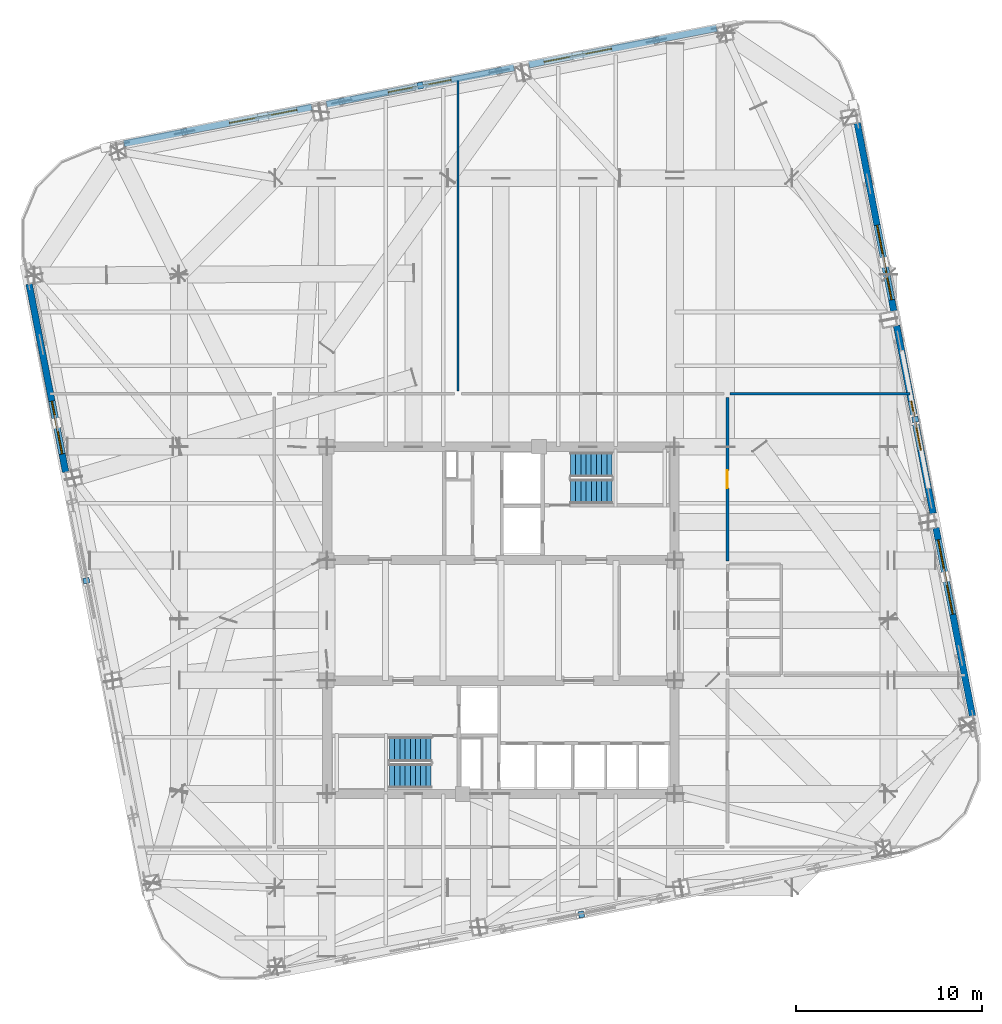
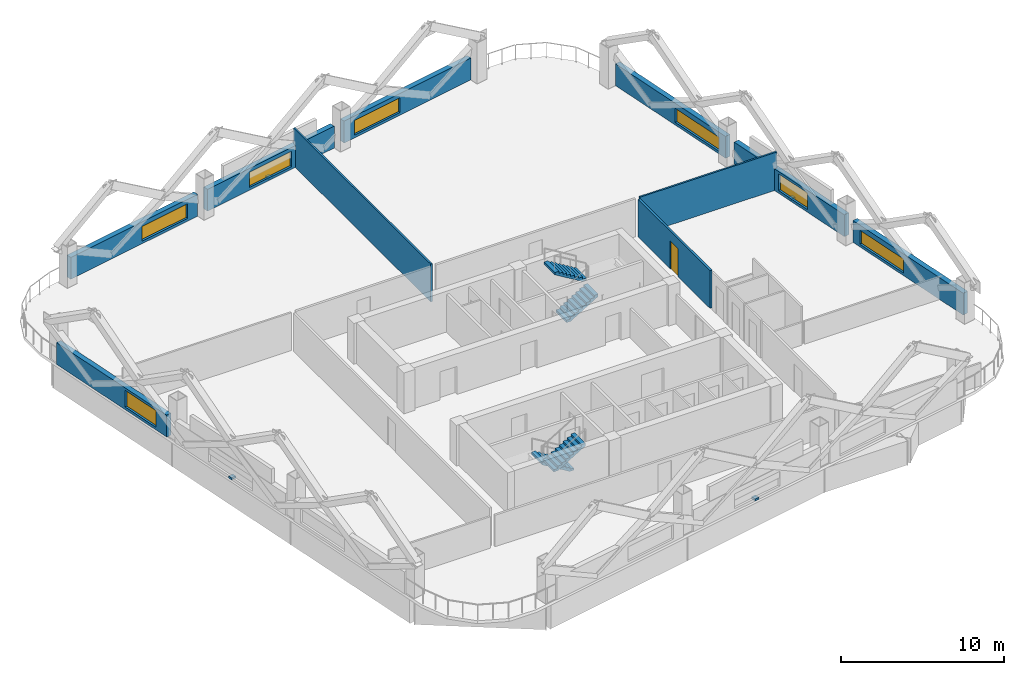
# One storey, part 11 of 14: 10 walls, 7 windows, 4 discrete accessories, 4 stair flights, 1 door, 8 openings, 2 elements without a shape of their own.
"""IFC4 building model written with IfcOpenShell, lengths in metres."""

from ifc_helpers import new_model, si_unit, direction, frame, frame_2d, origin, origin_2d, place, context, subcontext, project, spatial, polyline, rectangle, outline, extrude, material, layer, layer_set, type_object, element, fill, aggregate, save


model = new_model("IFC4")

# Units and contexts
model_context = context("Model", 3, precision=1e-05, world=origin(), true_north=direction((0.0, 1.0)))
body_context = subcontext(model_context, "Body", "Model", "MODEL_VIEW")
ifc_project = project(units=[si_unit("LENGTHUNIT", "METRE"), si_unit("AREAUNIT", "SQUARE_METRE"), si_unit("VOLUMEUNIT", "CUBIC_METRE"), si_unit("PLANEANGLEUNIT", "RADIAN"), si_unit("MASSUNIT", "GRAM", prefix="KILO")], contexts=[model_context])

# Site, building, storey
site_placement = place(None, origin())
site = spatial("IfcSite", under=ifc_project, at=site_placement, CompositionType="ELEMENT")
building_placement = place(site_placement, origin())
building = spatial("IfcBuilding", under=site, at=building_placement, Name="Qhalaya Broadcast Tower", CompositionType="ELEMENT")
storey_placement = place(building_placement, frame((0.0, 0.0, 112.800048828125)))
storey = spatial("IfcBuildingStorey", under=building, at=storey_placement, Name="L32", CompositionType="ELEMENT", Elevation=112.800048828125)

# Wall, opening, door
ifc_material_1 = material(Name="Gypsum Acoustic Partition")
ifc_layer_1 = layer(ifc_material_1, 0.14990234375, Name="Gypsum Acoustic Partition")
ifc_layer_set_1 = layer_set([ifc_layer_1], Name="Gypsum Acoustic Partition")
wall_type_1 = type_object("IfcWallType", Name="Corridor & Tenancy Acoustic Partition 150", PredefinedType="PARTITIONING", material=ifc_layer_set_1)
wall_1_placement = place(storey_placement, frame((12.199951171875, 3.800048828125, 0.0), z_axis=(0.0, 0.0, 1.0), x_axis=(0.0, 1.0, 0.0)))
wall_1 = element("IfcWall", 1, at=wall_1_placement, inside=storey, type_object=wall_type_1, Name="L32 Partition Wall W-COR-06", PredefinedType="PARTITIONING", context=body_context, shape_type="SweptSolid", body=[
    extrude(rectangle(XDim=8.800048828125, YDim=0.14990234375, at=frame_2d((4.39990234375, 0.0))), origin(), (0.0, 0.0, 1.0), 2.829833984375),
])
opening_1_placement = place(wall_1_placement, frame((3.925048828125, 0.0, 0.0)))
opening_1 = element("IfcOpeningElement", 2, at=opening_1_placement, cuts=wall_1, Name="Opening D10", PredefinedType="OPENING", context=body_context, shape_type="SweptSolid", body=[
    extrude(rectangle(XDim=0.949951171875, YDim=2.10009765625, at=frame_2d((0.47509765625, 1.050048828125))), frame((0.0, 0.0869140625, 0.0), z_axis=(0.0, -1.0, 0.0), x_axis=(1.0, 0.0, 0.0)), (0.0, 0.0, 1.0), 0.173828125),
])
ifc_material_2 = material(Name="Timber Veneer Acoustic Door", Category="wood")
door_type = type_object("IfcDoorType", Name="Cellular Office & Edit Booth Door D10", OperationType="NOTDEFINED", PredefinedType="DOOR", material=ifc_material_2)
door_placement = place(opening_1_placement, origin())
door = element("IfcDoor", 3, at=door_placement, inside=storey, type_object=door_type, Name="L32 Door D-RM06", OperationType="SINGLE_SWING_LEFT", OverallHeight=2.10009765625, OverallWidth=0.949951171875, PredefinedType="DOOR", context=body_context, shape_type="SweptSolid", body=[
    extrude(rectangle(XDim=0.949951171875, YDim=2.10009765625, at=frame_2d((0.47509765625, 1.050048828125))), frame((0.0, 0.02490234375, 0.0), z_axis=(0.0, -1.0, 0.0), x_axis=(1.0, 0.0, 0.0)), (0.0, 0.0, 1.0), 0.050048828125),
])
fill(opening_1, door)

# Wall, opening, window
ifc_material_3 = material(Name="Precast Concrete C40/50", Category="concrete")
ifc_layer_2 = layer(ifc_material_3, 0.360107421875, Name="Precast Concrete C40/50")
ifc_layer_set_2 = layer_set([ifc_layer_2], Name="Precast Concrete C40/50")
wall_type_2 = type_object("IfcWallType", Name="Insulated Precast Terracotta Exterior Wall 360", PredefinedType="SOLIDWALL", material=ifc_layer_set_2)
wall_2_placement = place(storey_placement, frame((19.189697265625, 27.37646484375, 0.0), z_axis=(0.0, 0.0, 1.0), x_axis=(0.190822765986, -0.981624506612, 0.0)))
wall_2 = element("IfcWall", 4, at=wall_2_placement, inside=storey, type_object=wall_type_2, Name="L32 Exoskeleton Diagrid Infill Wall E1", PredefinedType="SOLIDWALL", context=body_context, shape_type="SweptSolid", body=[
    extrude(rectangle(XDim=10.31201171875, YDim=0.360107421875, at=frame_2d((5.156005859375, 0.0))), origin(), (0.0, 0.0, 1.0), 1.6318359375),
])
opening_2_placement = place(wall_2_placement, frame((5.60009765625, 0.0, 0.199951171875)))
opening_2 = element("IfcOpeningElement", 5, at=opening_2_placement, cuts=wall_2, Name="Opening W11", PredefinedType="OPENING", context=body_context, shape_type="SweptSolid", body=[
    extrude(rectangle(XDim=4.10009765625, YDim=1.050048828125, at=frame_2d((2.050048828125, 0.52490234375))), frame((0.0, 0.192138671875, 0.0), z_axis=(0.0, -1.0, 0.0), x_axis=(1.0, 0.0, 0.0)), (0.0, 0.0, 1.0), 0.384033203125),
])
ifc_material_4 = material(Name="Solar-Control Low-E Triple Glazing", Category="glass")
window_type = type_object("IfcWindowType", Name="Odd-Block Diagrid Infill Window W11", PartitioningType="SINGLE_PANEL", PredefinedType="WINDOW", material=ifc_material_4)
window_1_placement = place(opening_2_placement, origin())
window_1 = element("IfcWindow", 6, at=window_1_placement, inside=storey, type_object=window_type, Name="L32 Diagrid Infill Window W11-E1", OverallHeight=1.050048828125, OverallWidth=4.10009765625, PartitioningType="SINGLE_PANEL", PredefinedType="WINDOW", context=body_context, shape_type="SweptSolid", body=[
    extrude(rectangle(XDim=4.10009765625, YDim=1.050048828125, at=frame_2d((2.050048828125, 0.52490234375))), frame((0.0, 0.030029296875, 0.0), z_axis=(0.0, -1.0, 0.0), x_axis=(1.0, 0.0, 0.0)), (0.0, 0.0, 1.0), 0.06005859375),
])
fill(opening_2, window_1)

wall_3_placement = place(storey_placement, frame((21.31005859375, 16.468505859375, 0.0), z_axis=(0.0, 0.0, 1.0), x_axis=(0.190811924826, -0.981626614016, 0.0)))
wall_3 = element("IfcWall", 7, at=wall_3_placement, inside=storey, type_object=wall_type_2, Name="L32 Exoskeleton Diagrid Infill Wall E2", PredefinedType="SOLIDWALL", context=body_context, shape_type="SweptSolid", body=[
    extrude(rectangle(XDim=10.2998046875, YDim=0.360107421875, at=frame_2d((5.14990234375, 0.0))), origin(), (0.0, 0.0, 1.0), 1.6318359375),
])
opening_3_placement = place(wall_3_placement, frame((4.137939453125, 0.0, 0.199951171875)))
opening_3 = element("IfcOpeningElement", 8, at=opening_3_placement, cuts=wall_3, Name="Opening W11", PredefinedType="OPENING", context=body_context, shape_type="SweptSolid", body=[
    extrude(rectangle(XDim=2.699951171875, YDim=1.25, at=frame_2d((1.35009765625, 0.625))), frame((0.0, 0.192138671875, 0.0), z_axis=(0.0, -1.0, 0.0), x_axis=(1.0, 0.0, 0.0)), (0.0, 0.0, 1.0), 0.384033203125),
])
window_2_placement = place(opening_3_placement, origin())
window_2 = element("IfcWindow", 9, at=window_2_placement, inside=storey, type_object=window_type, Name="L32 Diagrid Infill Window W11-E2", OverallHeight=1.25, OverallWidth=2.699951171875, PartitioningType="SINGLE_PANEL", PredefinedType="WINDOW", context=body_context, shape_type="SweptSolid", body=[
    extrude(rectangle(XDim=2.699951171875, YDim=1.25, at=frame_2d((1.35009765625, 0.625))), frame((0.0, 0.030029296875, 0.0), z_axis=(0.0, -1.0, 0.0), x_axis=(1.0, 0.0, 0.0)), (0.0, 0.0, 1.0), 0.06005859375),
])
fill(opening_3, window_2)

wall_4_placement = place(storey_placement, frame((23.427978515625, 5.572509765625, 0.0), z_axis=(0.0, 0.0, 1.0), x_axis=(0.190827200853, -0.981623644486, 0.0)))
wall_4 = element("IfcWall", 10, at=wall_4_placement, inside=storey, type_object=wall_type_2, Name="L32 Exoskeleton Diagrid Infill Wall E3", PredefinedType="SOLIDWALL", context=body_context, shape_type="SweptSolid", body=[
    extrude(rectangle(XDim=10.311767578125, YDim=0.360107421875, at=frame_2d((5.15576171875, 0.0))), origin(), (0.0, 0.0, 1.0), 1.6318359375),
])
opening_4_placement = place(wall_4_placement, frame((0.637939453125, 0.0, 0.199951171875)))
opening_4 = element("IfcOpeningElement", 11, at=opening_4_placement, cuts=wall_4, Name="Opening W11", PredefinedType="OPENING", context=body_context, shape_type="SweptSolid", body=[
    extrude(rectangle(XDim=4.10009765625, YDim=1.050048828125, at=frame_2d((2.050048828125, 0.52490234375))), frame((0.0, 0.192138671875, 0.0), z_axis=(0.0, -1.0, 0.0), x_axis=(1.0, 0.0, 0.0)), (0.0, 0.0, 1.0), 0.384033203125),
])
window_3_placement = place(opening_4_placement, origin())
window_3 = element("IfcWindow", 12, at=window_3_placement, inside=storey, type_object=window_type, Name="L32 Diagrid Infill Window W11-E3", OverallHeight=1.050048828125, OverallWidth=4.10009765625, PartitioningType="SINGLE_PANEL", PredefinedType="WINDOW", context=body_context, shape_type="SweptSolid", body=[
    extrude(rectangle(XDim=4.10009765625, YDim=1.050048828125, at=frame_2d((2.050048828125, 0.52490234375))), frame((0.0, 0.030029296875, 0.0), z_axis=(0.0, -1.0, 0.0), x_axis=(1.0, 0.0, 0.0)), (0.0, 0.0, 1.0), 0.06005859375),
])
fill(opening_4, window_3)

wall_5_placement = place(storey_placement, frame((-20.29638671875, 26.269775390625, 0.0), z_axis=(0.0, 0.0, 1.0), x_axis=(0.981628941133, 0.190799952646, 0.0)))
wall_5 = element("IfcWall", 13, at=wall_5_placement, inside=storey, type_object=wall_type_2, Name="L32 Exoskeleton Diagrid Infill Wall N1", PredefinedType="SOLIDWALL", context=body_context, shape_type="SweptSolid", body=[
    extrude(rectangle(XDim=10.31201171875, YDim=0.360107421875, at=frame_2d((5.156005859375, 0.0))), origin(), (0.0, 0.0, 1.0), 1.6318359375),
])
opening_5_placement = place(wall_5_placement, frame((5.800048828125, 0.0, 0.199951171875)))
opening_5 = element("IfcOpeningElement", 14, at=opening_5_placement, cuts=wall_5, Name="Opening W11", PredefinedType="OPENING", context=body_context, shape_type="SweptSolid", body=[
    extrude(rectangle(XDim=3.699951171875, YDim=1.10009765625, at=frame_2d((1.85009765625, 0.550048828125))), frame((0.0, 0.192138671875, 0.0), z_axis=(0.0, -1.0, 0.0), x_axis=(1.0, 0.0, 0.0)), (0.0, 0.0, 1.0), 0.384033203125),
])
window_4_placement = place(opening_5_placement, origin())
window_4 = element("IfcWindow", 15, at=window_4_placement, inside=storey, type_object=window_type, Name="L32 Diagrid Infill Window W11-N1", OverallHeight=1.10009765625, OverallWidth=3.699951171875, PartitioningType="SINGLE_PANEL", PredefinedType="WINDOW", context=body_context, shape_type="SweptSolid", body=[
    extrude(rectangle(XDim=3.699951171875, YDim=1.10009765625, at=frame_2d((1.85009765625, 0.550048828125))), frame((0.0, 0.030029296875, 0.0), z_axis=(0.0, -1.0, 0.0), x_axis=(1.0, 0.0, 0.0)), (0.0, 0.0, 1.0), 0.06005859375),
])
fill(opening_5, window_4)

wall_6_placement = place(storey_placement, frame((-9.388671875, 28.39013671875, 0.0), z_axis=(0.0, 0.0, 1.0), x_axis=(0.981627477005, 0.190807485147, 0.0)))
wall_6 = element("IfcWall", 16, at=wall_6_placement, inside=storey, type_object=wall_type_2, Name="L32 Exoskeleton Diagrid Infill Wall N2", PredefinedType="SOLIDWALL", context=body_context, shape_type="SweptSolid", body=[
    extrude(rectangle(XDim=10.300048828125, YDim=0.360107421875, at=frame_2d((5.14990234375, 0.0))), origin(), (0.0, 0.0, 1.0), 1.6318359375),
])
opening_6_placement = place(wall_6_placement, frame((3.387939453125, 0.0, 0.199951171875)))
opening_6 = element("IfcOpeningElement", 17, at=opening_6_placement, cuts=wall_6, Name="Opening W11", PredefinedType="OPENING", context=body_context, shape_type="SweptSolid", body=[
    extrude(rectangle(XDim=3.449951171875, YDim=1.14990234375, at=frame_2d((1.72509765625, 0.574951171875))), frame((0.0, 0.192138671875, 0.0), z_axis=(0.0, -1.0, 0.0), x_axis=(1.0, 0.0, 0.0)), (0.0, 0.0, 1.0), 0.384033203125),
])
window_5_placement = place(opening_6_placement, origin())
window_5 = element("IfcWindow", 18, at=window_5_placement, inside=storey, type_object=window_type, Name="L32 Diagrid Infill Window W11-N2", OverallHeight=1.14990234375, OverallWidth=3.449951171875, PartitioningType="SINGLE_PANEL", PredefinedType="WINDOW", context=body_context, shape_type="SweptSolid", body=[
    extrude(rectangle(XDim=3.449951171875, YDim=1.14990234375, at=frame_2d((1.72509765625, 0.574951171875))), frame((0.0, 0.030029296875, 0.0), z_axis=(0.0, -1.0, 0.0), x_axis=(1.0, 0.0, 0.0)), (0.0, 0.0, 1.0), 0.06005859375),
])
fill(opening_6, window_5)

wall_7_placement = place(storey_placement, frame((1.50732421875, 30.508056640625, 0.0), z_axis=(0.0, 0.0, 1.0), x_axis=(0.981628941133, 0.190799952646, 0.0)))
wall_7 = element("IfcWall", 19, at=wall_7_placement, inside=storey, type_object=wall_type_2, Name="L32 Exoskeleton Diagrid Infill Wall N3", PredefinedType="SOLIDWALL", context=body_context, shape_type="SweptSolid", body=[
    extrude(rectangle(XDim=10.31201171875, YDim=0.360107421875, at=frame_2d((5.156005859375, 0.0))), origin(), (0.0, 0.0, 1.0), 1.6318359375),
])
opening_7_placement = place(wall_7_placement, frame((0.837890625, 0.0, 0.199951171875)))
opening_7 = element("IfcOpeningElement", 20, at=opening_7_placement, cuts=wall_7, Name="Opening W11", PredefinedType="OPENING", context=body_context, shape_type="SweptSolid", body=[
    extrude(rectangle(XDim=3.699951171875, YDim=1.10009765625, at=frame_2d((1.85009765625, 0.550048828125))), frame((0.0, 0.192138671875, 0.0), z_axis=(0.0, -1.0, 0.0), x_axis=(1.0, 0.0, 0.0)), (0.0, 0.0, 1.0), 0.384033203125),
])
window_6_placement = place(opening_7_placement, origin())
window_6 = element("IfcWindow", 21, at=window_6_placement, inside=storey, type_object=window_type, Name="L32 Diagrid Infill Window W11-N3", OverallHeight=1.10009765625, OverallWidth=3.699951171875, PartitioningType="SINGLE_PANEL", PredefinedType="WINDOW", context=body_context, shape_type="SweptSolid", body=[
    extrude(rectangle(XDim=3.699951171875, YDim=1.10009765625, at=frame_2d((1.85009765625, 0.550048828125))), frame((0.0, 0.030029296875, 0.0), z_axis=(0.0, -1.0, 0.0), x_axis=(1.0, 0.0, 0.0)), (0.0, 0.0, 1.0), 0.06005859375),
])
fill(opening_7, window_6)

wall_8_placement = place(storey_placement, frame((-23.427978515625, 8.58740234375, 0.0), z_axis=(0.0, 0.0, 1.0), x_axis=(-0.190822765986, 0.981624506612, 0.0)))
wall_8 = element("IfcWall", 22, at=wall_8_placement, inside=storey, type_object=wall_type_2, Name="L32 Exoskeleton Diagrid Infill Wall W3", PredefinedType="SOLIDWALL", context=body_context, shape_type="SweptSolid", body=[
    extrude(rectangle(XDim=10.31201171875, YDim=0.360107421875, at=frame_2d((5.156005859375, 0.0))), origin(), (0.0, 0.0, 1.0), 1.6318359375),
])
opening_8_placement = place(wall_8_placement, frame((0.988037109375, 0.0, 0.199951171875)))
opening_8 = element("IfcOpeningElement", 23, at=opening_8_placement, cuts=wall_8, Name="Opening W11", PredefinedType="OPENING", context=body_context, shape_type="SweptSolid", body=[
    extrude(rectangle(XDim=2.89990234375, YDim=1.25, at=frame_2d((1.449951171875, 0.625))), frame((0.0, 0.192138671875, 0.0), z_axis=(0.0, -1.0, 0.0), x_axis=(1.0, 0.0, 0.0)), (0.0, 0.0, 1.0), 0.384033203125),
])
window_7_placement = place(opening_8_placement, origin())
window_7 = element("IfcWindow", 24, at=window_7_placement, inside=storey, type_object=window_type, Name="L32 Diagrid Infill Window W11-W3", OverallHeight=1.25, OverallWidth=2.89990234375, PartitioningType="SINGLE_PANEL", PredefinedType="WINDOW", context=body_context, shape_type="SweptSolid", body=[
    extrude(rectangle(XDim=2.89990234375, YDim=1.25, at=frame_2d((1.449951171875, 0.625))), frame((0.0, 0.030029296875, 0.0), z_axis=(0.0, -1.0, 0.0), x_axis=(1.0, 0.0, 0.0)), (0.0, 0.0, 1.0), 0.06005859375),
])
fill(opening_8, window_7)

# Walls
ifc_layer_3 = layer(ifc_material_1, 0.1201171875, Name="Gypsum Acoustic Partition")
ifc_layer_set_3 = layer_set([ifc_layer_3], Name="Gypsum Acoustic Partition")
wall_type_3 = type_object("IfcWallType", Name="Office, Booth & Sanitary Partition 120", PredefinedType="PARTITIONING", material=ifc_layer_set_3)
wall_9_placement = place(storey_placement, frame((12.340087890625, 12.800048828125, 0.0), z_axis=(0.0, 0.0, 1.0), x_axis=(1.0, 0.0, 0.0)))
element("IfcWall", 25, at=wall_9_placement, inside=storey, type_object=wall_type_3, Name="L32 Partition Wall W-BNDE1", PredefinedType="PARTITIONING", context=body_context, shape_type="SweptSolid", body=[
    extrude(rectangle(XDim=9.703369140625, YDim=0.1201171875, at=frame_2d((4.8515625, 0.0))), origin(), (0.0, 0.0, 1.0), 2.829833984375),
])
wall_10_placement = place(storey_placement, frame((-2.300048828125, 12.9599609375, 0.0), z_axis=(0.0, 0.0, 1.0), x_axis=(0.0, 1.0, 0.0)))
element("IfcWall", 26, at=wall_10_placement, inside=storey, type_object=wall_type_3, Name="L32 Partition Wall W-DIVN1", PredefinedType="PARTITIONING", context=body_context, shape_type="SweptSolid", body=[
    extrude(rectangle(XDim=16.828369140625, YDim=0.1201171875, at=frame_2d((8.4140625, 0.0))), origin(), (0.0, 0.0, 1.0), 2.829833984375),
])

# Stair, stair flights
ifc_material_5 = material(Name="Concrete C40/50", Category="concrete")
stair_type = type_object("IfcStairType", Name="Protected Dogleg Core Stair 3150", PredefinedType="TWO_STRAIGHT_RUN_STAIR", material=ifc_material_5)
stair_1_placement = place(storey_placement, origin())
stair_1 = element("IfcStair", 27, at=stair_1_placement, inside=storey, type_object=stair_type, Name="L32 North Core Exit Stair ST-1", PredefinedType="TWO_STRAIGHT_RUN_STAIR")
stair_flight_type = type_object("IfcStairFlightType", Name="Precast Concrete Stair Flight 3150", PredefinedType="STRAIGHT", material=ifc_material_3)
stair_flight_1_placement = place(storey_placement, frame((3.75, 7.5400390625, 0.0), z_axis=(0.0, 0.0, 1.0), x_axis=(1.0, 0.0, 0.0)))
stair_flight_1 = element("IfcStairFlight", 28, at=stair_flight_1_placement, type_object=stair_flight_type, Name="ST-1 flight 1", NumberOfRisers=9, NumberOfTreads=8, PredefinedType="STRAIGHT", RiserHeight=0.169444444, TreadLength=0.28, context=body_context, shape_type="SweptSolid", body=[
    extrude(outline(polyline([(0.0, 0.0), (0.0, 0.16943359375), (0.280029296875, 0.16943359375), (0.280029296875, 0.3388671875), (0.56005859375, 0.3388671875), (0.56005859375, 0.50830078125), (0.840087890625, 0.50830078125), (0.840087890625, 0.677734375), (1.1201171875, 0.677734375), (1.1201171875, 0.84716796875), (1.39990234375, 0.84716796875), (1.39990234375, 1.0166015625), (1.679931640625, 1.0166015625), (1.679931640625, 1.18603515625), (1.9599609375, 1.18603515625), (1.9599609375, 1.35546875), (2.239990234375, 1.35546875), (2.239990234375, 1.52490234375), (2.239990234375, 1.180419921875), (0.28955078125, 0.0), (0.0, 0.0)])), frame((0.0, 0.66015625, 0.0), z_axis=(0.0, -1.0, 0.0), x_axis=(1.0, 0.0, 0.0)), (0.0, 0.0, 1.0), 1.320068359375),
])
stair_flight_2_placement = place(storey_placement, frame((5.989990234375, 8.97998046875, 1.52490234375), z_axis=(0.0, 0.0, 1.0), x_axis=(-1.0, 0.0, 0.0)))
stair_flight_2 = element("IfcStairFlight", 29, at=stair_flight_2_placement, type_object=stair_flight_type, Name="ST-1 flight 2", NumberOfRisers=9, NumberOfTreads=8, PredefinedType="STRAIGHT", RiserHeight=0.169444444, TreadLength=0.28, context=body_context, shape_type="SweptSolid", body=[
    extrude(outline(polyline([(0.0, 0.0), (0.0, 0.16943359375), (0.280029296875, 0.16943359375), (0.280029296875, 0.3388671875), (0.56005859375, 0.3388671875), (0.56005859375, 0.50830078125), (0.840087890625, 0.50830078125), (0.840087890625, 0.677734375), (1.1201171875, 0.677734375), (1.1201171875, 0.84716796875), (1.39990234375, 0.84716796875), (1.39990234375, 1.0166015625), (1.679931640625, 1.0166015625), (1.679931640625, 1.18603515625), (1.9599609375, 1.18603515625), (1.9599609375, 1.35546875), (2.239990234375, 1.35546875), (2.239990234375, 1.52490234375), (2.239990234375, 1.180419921875), (0.28955078125, 0.0), (0.0, 0.0)])), frame((0.0, 0.66015625, 0.0), z_axis=(0.0, -1.0, 0.0), x_axis=(1.0, 0.0, 0.0)), (0.0, 0.0, 1.0), 1.320068359375),
])
aggregate(stair_1, [stair_flight_1, stair_flight_2])

stair_2_placement = place(storey_placement, origin())
stair_2 = element("IfcStair", 30, at=stair_2_placement, inside=storey, type_object=stair_type, Name="L32 South Core Exit Stair ST-2", PredefinedType="TWO_STRAIGHT_RUN_STAIR")
stair_flight_3_placement = place(storey_placement, frame((-3.75, -6.340087890625, 0.0), z_axis=(0.0, 0.0, 1.0), x_axis=(-1.0, 0.0, 0.0)))
stair_flight_3 = element("IfcStairFlight", 31, at=stair_flight_3_placement, type_object=stair_flight_type, Name="ST-2 flight 1", NumberOfRisers=9, NumberOfTreads=8, PredefinedType="STRAIGHT", RiserHeight=0.169444444, TreadLength=0.28, context=body_context, shape_type="SweptSolid", body=[
    extrude(outline(polyline([(0.0, 0.0), (0.0, 0.16943359375), (0.280029296875, 0.16943359375), (0.280029296875, 0.3388671875), (0.56005859375, 0.3388671875), (0.56005859375, 0.50830078125), (0.840087890625, 0.50830078125), (0.840087890625, 0.677734375), (1.1201171875, 0.677734375), (1.1201171875, 0.84716796875), (1.39990234375, 0.84716796875), (1.39990234375, 1.0166015625), (1.679931640625, 1.0166015625), (1.679931640625, 1.18603515625), (1.9599609375, 1.18603515625), (1.9599609375, 1.35546875), (2.239990234375, 1.35546875), (2.239990234375, 1.52490234375), (2.239990234375, 1.180419921875), (0.28955078125, 0.0), (0.0, 0.0)])), frame((0.0, 0.66015625, 0.0), z_axis=(0.0, -1.0, 0.0), x_axis=(1.0, 0.0, 0.0)), (0.0, 0.0, 1.0), 1.320068359375),
])
stair_flight_4_placement = place(storey_placement, frame((-5.989990234375, -7.780029296875, 1.52490234375), z_axis=(0.0, 0.0, 1.0), x_axis=(1.0, 0.0, 0.0)))
stair_flight_4 = element("IfcStairFlight", 32, at=stair_flight_4_placement, type_object=stair_flight_type, Name="ST-2 flight 2", NumberOfRisers=9, NumberOfTreads=8, PredefinedType="STRAIGHT", RiserHeight=0.169444444, TreadLength=0.28, context=body_context, shape_type="SweptSolid", body=[
    extrude(outline(polyline([(0.0, 0.0), (0.0, 0.16943359375), (0.280029296875, 0.16943359375), (0.280029296875, 0.3388671875), (0.56005859375, 0.3388671875), (0.56005859375, 0.50830078125), (0.840087890625, 0.50830078125), (0.840087890625, 0.677734375), (1.1201171875, 0.677734375), (1.1201171875, 0.84716796875), (1.39990234375, 0.84716796875), (1.39990234375, 1.0166015625), (1.679931640625, 1.0166015625), (1.679931640625, 1.18603515625), (1.9599609375, 1.18603515625), (1.9599609375, 1.35546875), (2.239990234375, 1.35546875), (2.239990234375, 1.52490234375), (2.239990234375, 1.180419921875), (0.28955078125, 0.0), (0.0, 0.0)])), frame((0.0, 0.66015625, 0.0), z_axis=(0.0, -1.0, 0.0), x_axis=(1.0, 0.0, 0.0)), (0.0, 0.0, 1.0), 1.320068359375),
])
aggregate(stair_2, [stair_flight_3, stair_flight_4])

# Discrete accessories
ifc_material_6 = material(Name="Structural Steel ASTM A572 Grade 50", Category="steel")
discrete_accessory_type = type_object("IfcDiscreteAccessoryType", Name="Facade Baguette Support Bracket BRK-01", PredefinedType="BRACKET", material=ifc_material_6)
for number, where, z_axis, x_axis, name in (
    (33, (4.337158203125, -15.232421875, 0.0), (0.0, 0.0, 1.0), (0.981627183448, 0.190808995377, 0.0), "L32 Baguette Support Bracket S"),
    (34, (22.3125, 11.4169921875, 0.0), (0.0, 0.0, 1.0), (-0.190808995377, 0.981627183448, 0.0), "L32 Baguette Support Bracket E"),
    (35, (-4.337158203125, 29.392333984375, 0.0), (0.0, 0.0, 1.0), (-0.981627183448, -0.190808995377, 0.0), "L32 Baguette Support Bracket N"),
    (36, (-22.3125, 2.742919921875, 0.0), (0.0, 0.0, 1.0), (0.190808995377, -0.981627183448, 0.0), "L32 Baguette Support Bracket W"),
):
    element("IfcDiscreteAccessory", number, at=place(storey_placement, frame(where, z_axis=z_axis, x_axis=x_axis)), inside=storey, type_object=discrete_accessory_type, Name=name, PredefinedType="BRACKET", context=body_context, shape_type="SweptSolid", body=[
        extrude(rectangle(XDim=0.300048828125, YDim=0.340087890625, at=origin_2d()), origin(), (0.0, 0.0, 1.0), 0.159912109375),
    ])

save(model, "model.ifc")
